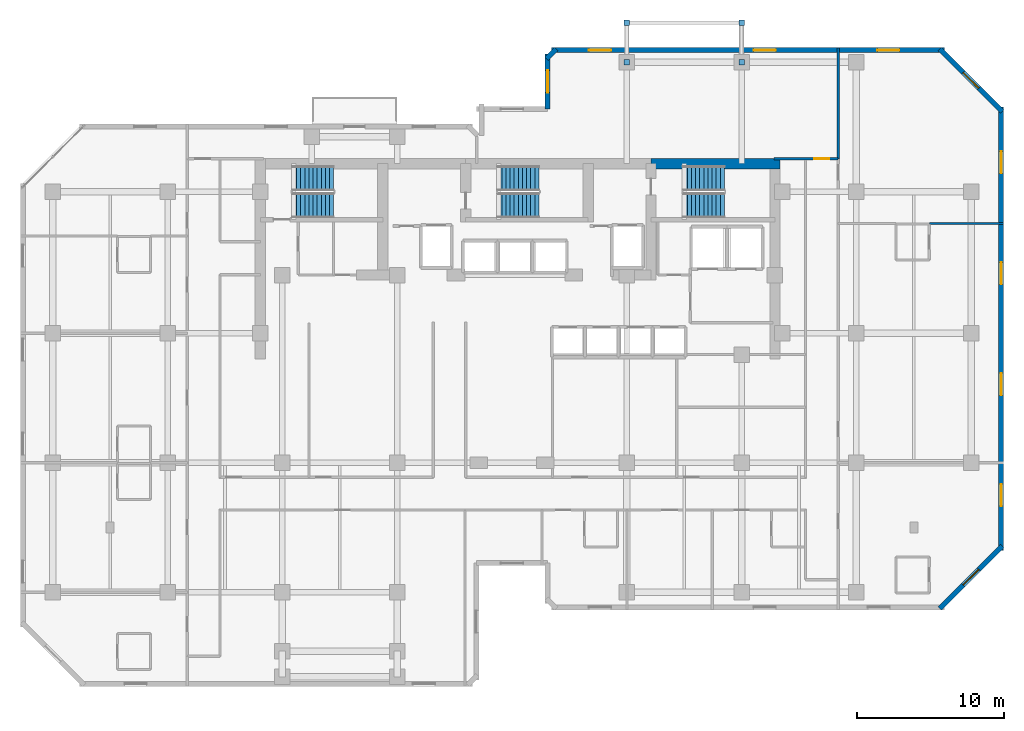
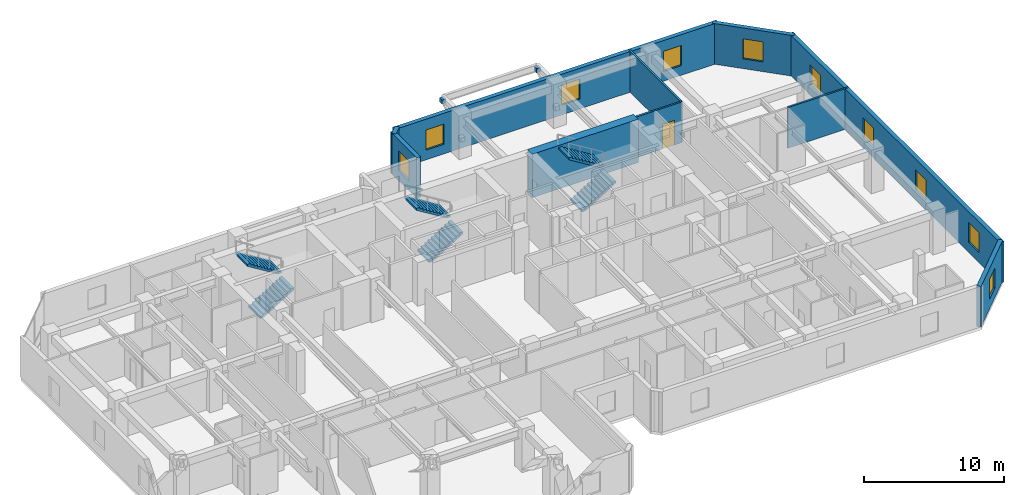
# One storey, part 8 of 9: 10 walls, 10 windows, 6 stair flights, 4 discrete accessories, 1 door, 11 openings, 3 elements without a shape of their own.
"""IFC4 building model written with IfcOpenShell, lengths in metres."""

from ifc_helpers import new_model, si_unit, direction, frame, frame_2d, origin, origin_2d, place, context, subcontext, project, spatial, polyline, rectangle, outline, extrude, material, layer, layer_set, type_object, element, fill, aggregate, save


model = new_model("IFC4")

# Units and contexts
model_context = context("Model", 3, precision=1e-05, world=origin(), true_north=direction((0.0, 1.0)))
body_context = subcontext(model_context, "Body", "Model", "MODEL_VIEW")
ifc_project = project(units=[si_unit("LENGTHUNIT", "METRE"), si_unit("AREAUNIT", "SQUARE_METRE"), si_unit("VOLUMEUNIT", "CUBIC_METRE"), si_unit("PLANEANGLEUNIT", "RADIAN"), si_unit("MASSUNIT", "GRAM", prefix="KILO")], contexts=[model_context])

# Site, building, storey
site_placement = place(None, origin())
site = spatial("IfcSite", under=ifc_project, at=site_placement, CompositionType="ELEMENT")
building_placement = place(site_placement, origin())
building = spatial("IfcBuilding", under=site, at=building_placement, Name="Kestravale Grand Hotel", CompositionType="ELEMENT")
storey_placement = place(building_placement, frame((0.0, 0.0, 146.0)))
storey = spatial("IfcBuildingStorey", under=building, at=storey_placement, Name="L36", CompositionType="ELEMENT", Elevation=146.0)

# Wall
ifc_material_1 = material(Name="Concrete f'c 60 MPa", Category="concrete")
ifc_layer_1 = layer(ifc_material_1, 0.699951171875)
ifc_layer_set_1 = layer_set([ifc_layer_1], Name="EW-CORE-700")
wall_type_1 = type_object("IfcWallType", Name="EW-CORE-700", PredefinedType="SHEAR", material=ifc_layer_set_1)
wall_1_placement = place(storey_placement, frame((48.449951171875, 40.320068359375, 0.0), z_axis=(0.0, 0.0, 1.0), x_axis=(1.0, 0.0, 0.0)))
element("IfcWall", 1, at=wall_1_placement, inside=storey, type_object=wall_type_1, Name="L36 core shear wall N3", PredefinedType="SHEAR", context=body_context, shape_type="SweptSolid", body=[
    extrude(rectangle(XDim=8.77001953125, YDim=0.699951171875, at=frame_2d((4.385009765625, 0.0))), origin(), (0.0, 0.0, 1.0), 3.800048828125),
])

# Wall, opening, window
ifc_material_2 = material(Name="Precast concrete f'c 45 MPa", Category="concrete")
ifc_layer_2 = layer(ifc_material_2, 0.340087890625)
ifc_layer_set_2 = layer_set([ifc_layer_2], Name="EW-PREC-340")
wall_type_2 = type_object("IfcWallType", Name="EW-PREC-340", PredefinedType="SOLIDWALL", material=ifc_layer_set_2)
wall_2_placement = place(storey_placement, frame((68.051513671875, 10.091796875, 0.0), z_axis=(0.0, 0.0, 1.0), x_axis=(0.707106781187, 0.707106781187, 0.0)))
wall_2 = element("IfcWall", 2, at=wall_2_placement, inside=storey, type_object=wall_type_2, Name="L36 fluted precast facade wall 8", PredefinedType="SOLIDWALL", context=body_context, shape_type="SweptSolid", body=[
    extrude(rectangle(XDim=6.019775390625, YDim=0.340087890625, at=frame_2d((3.009765625, 0.0))), origin(), (0.0, 0.0, 1.0), 3.550048828125),
])
opening_1_placement = place(wall_2_placement, frame((2.260009765625, 0.0, 0.85009765625)))
opening_1 = element("IfcOpeningElement", 3, at=opening_1_placement, cuts=wall_2, Name="Opening W-GUEST-1500", PredefinedType="OPENING", context=body_context, shape_type="SweptSolid", body=[
    extrude(rectangle(XDim=1.5, YDim=1.75, at=frame_2d((0.75, 0.875))), frame((0.0, 0.179931640625, 0.0), z_axis=(0.0, -1.0, 0.0), x_axis=(1.0, 0.0, 0.0)), (0.0, 0.0, 1.0), 0.360107421875),
])
ifc_material_3 = material(Name="Insulated low-E double glazing in aluminium frame", Category="aluminium")
window_type = type_object("IfcWindowType", Name="W-GUEST-1500", PartitioningType="SINGLE_PANEL", PredefinedType="WINDOW", material=ifc_material_3)
window_1_placement = place(opening_1_placement, origin())
window_1 = element("IfcWindow", 4, at=window_1_placement, inside=storey, type_object=window_type, Name="L36 exterior window 8.1", OverallHeight=1.75, OverallWidth=1.5, PartitioningType="SINGLE_PANEL", PredefinedType="WINDOW", context=body_context, shape_type="SweptSolid", body=[
    extrude(rectangle(XDim=1.5, YDim=1.75, at=frame_2d((0.75, 0.875))), frame((0.0, 0.030029296875, 0.0), z_axis=(0.0, -1.0, 0.0), x_axis=(1.0, 0.0, 0.0)), (0.0, 0.0, 1.0), 0.06005859375),
])
fill(opening_1, window_1)

# Wall, openings, windows
wall_3_placement = place(storey_placement, frame((72.22998046875, 14.030029296875, 0.0), z_axis=(0.0, 0.0, 1.0), x_axis=(0.0, 1.0, 0.0)))
wall_3 = element("IfcWall", 5, at=wall_3_placement, inside=storey, type_object=wall_type_2, Name="L36 fluted precast facade wall 9", PredefinedType="SOLIDWALL", context=body_context, shape_type="SweptSolid", body=[
    extrude(rectangle(XDim=30.139892578125, YDim=0.340087890625, at=frame_2d((15.06982421875, 0.0))), origin(), (0.0, 0.0, 1.0), 3.550048828125),
])
opening_2_placement = place(wall_3_placement, frame((3.017578125, 0.0, 0.85009765625)))
opening_2 = element("IfcOpeningElement", 6, at=opening_2_placement, cuts=wall_3, Name="Opening W-GUEST-1500", PredefinedType="OPENING", context=body_context, shape_type="SweptSolid", body=[
    extrude(rectangle(XDim=1.5, YDim=1.75, at=frame_2d((0.75, 0.875))), frame((0.0, 0.179931640625, 0.0), z_axis=(0.0, -1.0, 0.0), x_axis=(1.0, 0.0, 0.0)), (0.0, 0.0, 1.0), 0.360107421875),
])
opening_3_placement = place(wall_3_placement, frame((10.552490234375, 0.0, 0.85009765625)))
opening_3 = element("IfcOpeningElement", 7, at=opening_3_placement, cuts=wall_3, Name="Opening W-GUEST-1500", PredefinedType="OPENING", context=body_context, shape_type="SweptSolid", body=[
    extrude(rectangle(XDim=1.5, YDim=1.75, at=frame_2d((0.75, 0.875))), frame((0.0, 0.179931640625, 0.0), z_axis=(0.0, -1.0, 0.0), x_axis=(1.0, 0.0, 0.0)), (0.0, 0.0, 1.0), 0.360107421875),
])
opening_4_placement = place(wall_3_placement, frame((18.08740234375, 0.0, 0.85009765625)))
opening_4 = element("IfcOpeningElement", 8, at=opening_4_placement, cuts=wall_3, Name="Opening W-GUEST-1500", PredefinedType="OPENING", context=body_context, shape_type="SweptSolid", body=[
    extrude(rectangle(XDim=1.5, YDim=1.75, at=frame_2d((0.75, 0.875))), frame((0.0, 0.179931640625, 0.0), z_axis=(0.0, -1.0, 0.0), x_axis=(1.0, 0.0, 0.0)), (0.0, 0.0, 1.0), 0.360107421875),
])
opening_5_placement = place(wall_3_placement, frame((25.62255859375, 0.0, 0.85009765625)))
opening_5 = element("IfcOpeningElement", 9, at=opening_5_placement, cuts=wall_3, Name="Opening W-GUEST-1500", PredefinedType="OPENING", context=body_context, shape_type="SweptSolid", body=[
    extrude(rectangle(XDim=1.5, YDim=1.75, at=frame_2d((0.75, 0.875))), frame((0.0, 0.179931640625, 0.0), z_axis=(0.0, -1.0, 0.0), x_axis=(1.0, 0.0, 0.0)), (0.0, 0.0, 1.0), 0.360107421875),
])
window_2_placement = place(opening_2_placement, origin())
window_2 = element("IfcWindow", 10, at=window_2_placement, inside=storey, type_object=window_type, Name="L36 exterior window 9.1", OverallHeight=1.75, OverallWidth=1.5, PartitioningType="SINGLE_PANEL", PredefinedType="WINDOW", context=body_context, shape_type="SweptSolid", body=[
    extrude(rectangle(XDim=1.5, YDim=1.75, at=frame_2d((0.75, 0.875))), frame((0.0, 0.030029296875, 0.0), z_axis=(0.0, -1.0, 0.0), x_axis=(1.0, 0.0, 0.0)), (0.0, 0.0, 1.0), 0.06005859375),
])
fill(opening_2, window_2)
window_3_placement = place(opening_3_placement, origin())
window_3 = element("IfcWindow", 11, at=window_3_placement, inside=storey, type_object=window_type, Name="L36 exterior window 9.2", OverallHeight=1.75, OverallWidth=1.5, PartitioningType="SINGLE_PANEL", PredefinedType="WINDOW", context=body_context, shape_type="SweptSolid", body=[
    extrude(rectangle(XDim=1.5, YDim=1.75, at=frame_2d((0.75, 0.875))), frame((0.0, 0.030029296875, 0.0), z_axis=(0.0, -1.0, 0.0), x_axis=(1.0, 0.0, 0.0)), (0.0, 0.0, 1.0), 0.06005859375),
])
fill(opening_3, window_3)
window_4_placement = place(opening_4_placement, origin())
window_4 = element("IfcWindow", 12, at=window_4_placement, inside=storey, type_object=window_type, Name="L36 exterior window 9.3", OverallHeight=1.75, OverallWidth=1.5, PartitioningType="SINGLE_PANEL", PredefinedType="WINDOW", context=body_context, shape_type="SweptSolid", body=[
    extrude(rectangle(XDim=1.5, YDim=1.75, at=frame_2d((0.75, 0.875))), frame((0.0, 0.030029296875, 0.0), z_axis=(0.0, -1.0, 0.0), x_axis=(1.0, 0.0, 0.0)), (0.0, 0.0, 1.0), 0.06005859375),
])
fill(opening_4, window_4)
window_5_placement = place(opening_5_placement, origin())
window_5 = element("IfcWindow", 13, at=window_5_placement, inside=storey, type_object=window_type, Name="L36 exterior window 9.4", OverallHeight=1.75, OverallWidth=1.5, PartitioningType="SINGLE_PANEL", PredefinedType="WINDOW", context=body_context, shape_type="SweptSolid", body=[
    extrude(rectangle(XDim=1.5, YDim=1.75, at=frame_2d((0.75, 0.875))), frame((0.0, 0.030029296875, 0.0), z_axis=(0.0, -1.0, 0.0), x_axis=(1.0, 0.0, 0.0)), (0.0, 0.0, 1.0), 0.06005859375),
])
fill(opening_5, window_5)

# Wall, opening, window
wall_4_placement = place(storey_placement, frame((72.30810546875, 43.8515625, 0.0), z_axis=(0.0, 0.0, 1.0), x_axis=(-0.707106781187, 0.707106781187, 0.0)))
wall_4 = element("IfcWall", 14, at=wall_4_placement, inside=storey, type_object=wall_type_2, Name="L36 fluted precast facade wall 10", PredefinedType="SOLIDWALL", context=body_context, shape_type="SweptSolid", body=[
    extrude(rectangle(XDim=6.019775390625, YDim=0.340087890625, at=frame_2d((3.009765625, 0.0))), origin(), (0.0, 0.0, 1.0), 3.550048828125),
])
opening_6_placement = place(wall_4_placement, frame((2.260009765625, 0.0, 0.85009765625)))
opening_6 = element("IfcOpeningElement", 15, at=opening_6_placement, cuts=wall_4, Name="Opening W-GUEST-1500", PredefinedType="OPENING", context=body_context, shape_type="SweptSolid", body=[
    extrude(rectangle(XDim=1.5, YDim=1.75, at=frame_2d((0.75, 0.875))), frame((0.0, 0.179931640625, 0.0), z_axis=(0.0, -1.0, 0.0), x_axis=(1.0, 0.0, 0.0)), (0.0, 0.0, 1.0), 0.360107421875),
])
window_6_placement = place(opening_6_placement, origin())
window_6 = element("IfcWindow", 16, at=window_6_placement, inside=storey, type_object=window_type, Name="L36 exterior window 10.1", OverallHeight=1.75, OverallWidth=1.5, PartitioningType="SINGLE_PANEL", PredefinedType="WINDOW", context=body_context, shape_type="SweptSolid", body=[
    extrude(rectangle(XDim=1.5, YDim=1.75, at=frame_2d((0.75, 0.875))), frame((0.0, 0.030029296875, 0.0), z_axis=(0.0, -1.0, 0.0), x_axis=(1.0, 0.0, 0.0)), (0.0, 0.0, 1.0), 0.06005859375),
])
fill(opening_6, window_6)

# Wall, openings, windows
wall_5_placement = place(storey_placement, frame((68.3701171875, 48.030029296875, 0.0), z_axis=(0.0, 0.0, 1.0), x_axis=(-1.0, 0.0, 0.0)))
wall_5 = element("IfcWall", 17, at=wall_5_placement, inside=storey, type_object=wall_type_2, Name="L36 fluted precast facade wall 11", PredefinedType="SOLIDWALL", context=body_context, shape_type="SweptSolid", body=[
    extrude(rectangle(XDim=26.690185546875, YDim=0.340087890625, at=frame_2d((13.34521484375, 0.0))), origin(), (0.0, 0.0, 1.0), 3.550048828125),
])
opening_7_placement = place(wall_5_placement, frame((3.04833984375, 0.0, 0.85009765625)))
opening_7 = element("IfcOpeningElement", 18, at=opening_7_placement, cuts=wall_5, Name="Opening W-GUEST-1500", PredefinedType="OPENING", context=body_context, shape_type="SweptSolid", body=[
    extrude(rectangle(XDim=1.5, YDim=1.75, at=frame_2d((0.75, 0.875))), frame((0.0, 0.179931640625, 0.0), z_axis=(0.0, -1.0, 0.0), x_axis=(1.0, 0.0, 0.0)), (0.0, 0.0, 1.0), 0.360107421875),
])
opening_8_placement = place(wall_5_placement, frame((11.445068359375, 0.0, 0.85009765625)))
opening_8 = element("IfcOpeningElement", 19, at=opening_8_placement, cuts=wall_5, Name="Opening W-GUEST-1500", PredefinedType="OPENING", context=body_context, shape_type="SweptSolid", body=[
    extrude(rectangle(XDim=1.5, YDim=1.75, at=frame_2d((0.75, 0.875))), frame((0.0, 0.179931640625, 0.0), z_axis=(0.0, -1.0, 0.0), x_axis=(1.0, 0.0, 0.0)), (0.0, 0.0, 1.0), 0.360107421875),
])
opening_9_placement = place(wall_5_placement, frame((22.6416015625, 0.0, 0.85009765625)))
opening_9 = element("IfcOpeningElement", 20, at=opening_9_placement, cuts=wall_5, Name="Opening W-GUEST-1500", PredefinedType="OPENING", context=body_context, shape_type="SweptSolid", body=[
    extrude(rectangle(XDim=1.5, YDim=1.75, at=frame_2d((0.75, 0.875))), frame((0.0, 0.179931640625, 0.0), z_axis=(0.0, -1.0, 0.0), x_axis=(1.0, 0.0, 0.0)), (0.0, 0.0, 1.0), 0.360107421875),
])
window_7_placement = place(opening_7_placement, origin())
window_7 = element("IfcWindow", 21, at=window_7_placement, inside=storey, type_object=window_type, Name="L36 exterior window 11.1", OverallHeight=1.75, OverallWidth=1.5, PartitioningType="SINGLE_PANEL", PredefinedType="WINDOW", context=body_context, shape_type="SweptSolid", body=[
    extrude(rectangle(XDim=1.5, YDim=1.75, at=frame_2d((0.75, 0.875))), frame((0.0, 0.030029296875, 0.0), z_axis=(0.0, -1.0, 0.0), x_axis=(1.0, 0.0, 0.0)), (0.0, 0.0, 1.0), 0.06005859375),
])
fill(opening_7, window_7)
window_8_placement = place(opening_8_placement, origin())
window_8 = element("IfcWindow", 22, at=window_8_placement, inside=storey, type_object=window_type, Name="L36 exterior window 11.2", OverallHeight=1.75, OverallWidth=1.5, PartitioningType="SINGLE_PANEL", PredefinedType="WINDOW", context=body_context, shape_type="SweptSolid", body=[
    extrude(rectangle(XDim=1.5, YDim=1.75, at=frame_2d((0.75, 0.875))), frame((0.0, 0.030029296875, 0.0), z_axis=(0.0, -1.0, 0.0), x_axis=(1.0, 0.0, 0.0)), (0.0, 0.0, 1.0), 0.06005859375),
])
fill(opening_8, window_8)
window_9_placement = place(opening_9_placement, origin())
window_9 = element("IfcWindow", 23, at=window_9_placement, inside=storey, type_object=window_type, Name="L36 exterior window 11.3", OverallHeight=1.75, OverallWidth=1.5, PartitioningType="SINGLE_PANEL", PredefinedType="WINDOW", context=body_context, shape_type="SweptSolid", body=[
    extrude(rectangle(XDim=1.5, YDim=1.75, at=frame_2d((0.75, 0.875))), frame((0.0, 0.030029296875, 0.0), z_axis=(0.0, -1.0, 0.0), x_axis=(1.0, 0.0, 0.0)), (0.0, 0.0, 1.0), 0.06005859375),
])
fill(opening_9, window_9)

# Wall
wall_6_placement = place(storey_placement, frame((41.99853515625, 48.108154296875, 0.0), z_axis=(0.0, 0.0, 1.0), x_axis=(-0.707106781187, -0.707106781187, 0.0)))
element("IfcWall", 24, at=wall_6_placement, inside=storey, type_object=wall_type_2, Name="L36 fluted precast facade wall 12", PredefinedType="SOLIDWALL", context=body_context, shape_type="SweptSolid", body=[
    extrude(rectangle(XDim=0.9287109375, YDim=0.340087890625, at=frame_2d((0.46435546875, 0.0))), origin(), (0.0, 0.0, 1.0), 3.550048828125),
])

# Wall, opening, window
wall_7_placement = place(storey_placement, frame((41.419921875, 47.77001953125, 0.0), z_axis=(0.0, 0.0, 1.0), x_axis=(0.0, -1.0, 0.0)))
wall_7 = element("IfcWall", 25, at=wall_7_placement, inside=storey, type_object=wall_type_2, Name="L36 fluted precast facade wall 13", PredefinedType="SOLIDWALL", context=body_context, shape_type="SweptSolid", body=[
    extrude(rectangle(XDim=3.739990234375, YDim=0.340087890625, at=frame_2d((1.8701171875, 0.0))), origin(), (0.0, 0.0, 1.0), 3.550048828125),
])
opening_10_placement = place(wall_7_placement, frame((1.1201171875, 0.0, 0.85009765625)))
opening_10 = element("IfcOpeningElement", 26, at=opening_10_placement, cuts=wall_7, Name="Opening W-GUEST-1500", PredefinedType="OPENING", context=body_context, shape_type="SweptSolid", body=[
    extrude(rectangle(XDim=1.5, YDim=1.75, at=frame_2d((0.75, 0.875))), frame((0.0, 0.179931640625, 0.0), z_axis=(0.0, -1.0, 0.0), x_axis=(1.0, 0.0, 0.0)), (0.0, 0.0, 1.0), 0.360107421875),
])
window_10_placement = place(opening_10_placement, origin())
window_10 = element("IfcWindow", 27, at=window_10_placement, inside=storey, type_object=window_type, Name="L36 exterior window 13.1", OverallHeight=1.75, OverallWidth=1.5, PartitioningType="SINGLE_PANEL", PredefinedType="WINDOW", context=body_context, shape_type="SweptSolid", body=[
    extrude(rectangle(XDim=1.5, YDim=1.75, at=frame_2d((0.75, 0.875))), frame((0.0, 0.030029296875, 0.0), z_axis=(0.0, -1.0, 0.0), x_axis=(1.0, 0.0, 0.0)), (0.0, 0.0, 1.0), 0.06005859375),
])
fill(opening_10, window_10)

# Wall, opening, door
ifc_material_4 = material(Name="Double-stud STC 52 acoustic demising partition", Category="other")
ifc_layer_3 = layer(ifc_material_4, 0.14990234375)
ifc_layer_set_3 = layer_set([ifc_layer_3], Name="IW-UNIT-150")
wall_type_3 = type_object("IfcWallType", Name="IW-UNIT-150", PredefinedType="PARTITIONING", material=ifc_layer_set_3)
wall_8_placement = place(storey_placement, frame((56.800048828125, 40.64990234375, 0.0), z_axis=(0.0, 0.0, 1.0), x_axis=(1.0, 0.0, 0.0)))
wall_8 = element("IfcWall", 28, at=wall_8_placement, inside=storey, type_object=wall_type_3, Name="W-L36-SE-N", PredefinedType="PARTITIONING", context=body_context, shape_type="SweptSolid", body=[
    extrude(rectangle(XDim=4.35986328125, YDim=0.14990234375, at=frame_2d((2.179931640625, 0.0))), origin(), (0.0, 0.0, 1.0), 3.550048828125),
])
opening_11_placement = place(wall_8_placement, frame((2.75, 0.0, 0.0)))
opening_11 = element("IfcOpeningElement", 29, at=opening_11_placement, cuts=wall_8, Name="Opening D-GUEST-1000", PredefinedType="OPENING", context=body_context, shape_type="SweptSolid", body=[
    extrude(rectangle(XDim=1.0, YDim=2.14990234375, at=frame_2d((0.5, 1.074951171875))), frame((0.0, 0.0849609375, 0.0), z_axis=(0.0, -1.0, 0.0), x_axis=(1.0, 0.0, 0.0)), (0.0, 0.0, 1.0), 0.169921875),
])
ifc_material_5 = material(Name="Accessible walnut veneer hotel entrance fire door", Category="wood")
door_type = type_object("IfcDoorType", Name="D-GUEST-1000", OperationType="NOTDEFINED", PredefinedType="DOOR", material=ifc_material_5)
door_placement = place(opening_11_placement, origin())
door = element("IfcDoor", 30, at=door_placement, inside=storey, type_object=door_type, Name="L36 NE Gallery Door", OperationType="SINGLE_SWING_LEFT", OverallHeight=2.14990234375, OverallWidth=1.0, PredefinedType="DOOR", context=body_context, shape_type="SweptSolid", body=[
    extrude(rectangle(XDim=1.0, YDim=2.14990234375, at=frame_2d((0.5, 1.074951171875))), frame((0.0, 0.02490234375, 0.0), z_axis=(0.0, -1.0, 0.0), x_axis=(1.0, 0.0, 0.0)), (0.0, 0.0, 1.0), 0.050048828125),
])
fill(opening_11, door)

# Walls
wall_9_placement = place(storey_placement, frame((61.159912109375, 40.64990234375, 0.0), z_axis=(0.0, 0.0, 1.0), x_axis=(0.0, 1.0, 0.0)))
element("IfcWall", 31, at=wall_9_placement, inside=storey, type_object=wall_type_3, Name="W-L36-NGE-E", PredefinedType="PARTITIONING", context=body_context, shape_type="SweptSolid", body=[
    extrude(rectangle(XDim=7.530029296875, YDim=0.14990234375, at=frame_2d((3.76513671875, 0.0))), origin(), (0.0, 0.0, 1.0), 3.550048828125),
])
wall_10_placement = place(storey_placement, frame((67.35009765625, 36.25, 0.0), z_axis=(0.0, 0.0, 1.0), x_axis=(1.0, 0.0, 0.0)))
element("IfcWall", 32, at=wall_10_placement, inside=storey, type_object=wall_type_3, Name="W-L36-EW-2", PredefinedType="PARTITIONING", context=body_context, shape_type="SweptSolid", body=[
    extrude(rectangle(XDim=5.02978515625, YDim=0.14990234375, at=frame_2d((2.514892578125, 0.0))), origin(), (0.0, 0.0, 1.0), 3.550048828125),
])

# Stair, stair flights
ifc_material_6 = material(Name="Concrete f'c 45 MPa", Category="concrete")
stair_type = type_object("IfcStairType", Name="ST-CORE-380", PredefinedType="HALF_TURN_STAIR", material=ifc_material_6)
stair_1_placement = place(storey_placement, origin())
stair_1 = element("IfcStair", 33, at=stair_1_placement, inside=storey, type_object=stair_type, Name="L36 ST-1", PredefinedType="HALF_TURN_STAIR")
ifc_material_7 = material(Name="Concrete f'c 45 MPa", Category="concrete")
stair_flight_type = type_object("IfcStairFlightType", Name="STF-CORE-380", PredefinedType="STRAIGHT", material=ifc_material_7)
stair_flight_1_placement = place(storey_placement, frame((24.080078125, 37.489990234375, 0.0), z_axis=(0.0, 0.0, 1.0), x_axis=(1.0, 0.0, 0.0)))
stair_flight_1 = element("IfcStairFlight", 34, at=stair_flight_1_placement, type_object=stair_flight_type, Name="ST-1 flight 1", NumberOfRisers=11, NumberOfTreads=10, PredefinedType="STRAIGHT", RiserHeight=0.172727273, TreadLength=0.28, context=body_context, shape_type="SweptSolid", body=[
    extrude(outline(polyline([(0.0, 0.0), (0.0, 0.172607421875), (0.280029296875, 0.172607421875), (0.280029296875, 0.345458984375), (0.56005859375, 0.345458984375), (0.56005859375, 0.51806640625), (0.840087890625, 0.51806640625), (0.840087890625, 0.69091796875), (1.1201171875, 0.69091796875), (1.1201171875, 0.863525390625), (1.39990234375, 0.863525390625), (1.39990234375, 1.036376953125), (1.679931640625, 1.036376953125), (1.679931640625, 1.208984375), (1.9599609375, 1.208984375), (1.9599609375, 1.3818359375), (2.239990234375, 1.3818359375), (2.239990234375, 1.554443359375), (2.52001953125, 1.554443359375), (2.52001953125, 1.727294921875), (2.800048828125, 1.727294921875), (2.800048828125, 1.89990234375), (2.800048828125, 1.551025390625), (0.285400390625, 0.0), (0.0, 0.0)])), frame((0.0, 0.83984375, 0.0), z_axis=(0.0, -1.0, 0.0), x_axis=(1.0, 0.0, 0.0)), (0.0, 0.0, 1.0), 1.679931640625),
])
stair_flight_2_placement = place(storey_placement, frame((26.8798828125, 39.320068359375, 1.89990234375), z_axis=(0.0, 0.0, 1.0), x_axis=(-1.0, 0.0, 0.0)))
stair_flight_2 = element("IfcStairFlight", 35, at=stair_flight_2_placement, type_object=stair_flight_type, Name="ST-1 flight 2", NumberOfRisers=11, NumberOfTreads=10, PredefinedType="STRAIGHT", RiserHeight=0.172727273, TreadLength=0.28, context=body_context, shape_type="SweptSolid", body=[
    extrude(outline(polyline([(0.0, 0.0), (0.0, 0.172607421875), (0.280029296875, 0.172607421875), (0.280029296875, 0.345458984375), (0.56005859375, 0.345458984375), (0.56005859375, 0.51806640625), (0.840087890625, 0.51806640625), (0.840087890625, 0.69091796875), (1.1201171875, 0.69091796875), (1.1201171875, 0.863525390625), (1.39990234375, 0.863525390625), (1.39990234375, 1.036376953125), (1.679931640625, 1.036376953125), (1.679931640625, 1.208984375), (1.9599609375, 1.208984375), (1.9599609375, 1.3818359375), (2.239990234375, 1.3818359375), (2.239990234375, 1.554443359375), (2.52001953125, 1.554443359375), (2.52001953125, 1.727294921875), (2.800048828125, 1.727294921875), (2.800048828125, 1.89990234375), (2.800048828125, 1.551025390625), (0.285400390625, 0.0), (0.0, 0.0)])), frame((0.0, 0.83984375, 0.0), z_axis=(0.0, -1.0, 0.0), x_axis=(1.0, 0.0, 0.0)), (0.0, 0.0, 1.0), 1.679931640625),
])
aggregate(stair_1, [stair_flight_1, stair_flight_2])

stair_2_placement = place(storey_placement, origin())
stair_2 = element("IfcStair", 36, at=stair_2_placement, inside=storey, type_object=stair_type, Name="L36 ST-2", PredefinedType="HALF_TURN_STAIR")
stair_flight_3_placement = place(storey_placement, frame((38.030029296875, 37.489990234375, 0.0), z_axis=(0.0, 0.0, 1.0), x_axis=(1.0, 0.0, 0.0)))
stair_flight_3 = element("IfcStairFlight", 37, at=stair_flight_3_placement, type_object=stair_flight_type, Name="ST-2 flight 1", NumberOfRisers=11, NumberOfTreads=10, PredefinedType="STRAIGHT", RiserHeight=0.172727273, TreadLength=0.28, context=body_context, shape_type="SweptSolid", body=[
    extrude(outline(polyline([(0.0, 0.0), (0.0, 0.172607421875), (0.280029296875, 0.172607421875), (0.280029296875, 0.345458984375), (0.56005859375, 0.345458984375), (0.56005859375, 0.51806640625), (0.840087890625, 0.51806640625), (0.840087890625, 0.69091796875), (1.1201171875, 0.69091796875), (1.1201171875, 0.863525390625), (1.39990234375, 0.863525390625), (1.39990234375, 1.036376953125), (1.679931640625, 1.036376953125), (1.679931640625, 1.208984375), (1.9599609375, 1.208984375), (1.9599609375, 1.3818359375), (2.239990234375, 1.3818359375), (2.239990234375, 1.554443359375), (2.52001953125, 1.554443359375), (2.52001953125, 1.727294921875), (2.800048828125, 1.727294921875), (2.800048828125, 1.89990234375), (2.800048828125, 1.551025390625), (0.285400390625, 0.0), (0.0, 0.0)])), frame((0.0, 0.83984375, 0.0), z_axis=(0.0, -1.0, 0.0), x_axis=(1.0, 0.0, 0.0)), (0.0, 0.0, 1.0), 1.679931640625),
])
stair_flight_4_placement = place(storey_placement, frame((40.830078125, 39.320068359375, 1.89990234375), z_axis=(0.0, 0.0, 1.0), x_axis=(-1.0, 0.0, 0.0)))
stair_flight_4 = element("IfcStairFlight", 38, at=stair_flight_4_placement, type_object=stair_flight_type, Name="ST-2 flight 2", NumberOfRisers=11, NumberOfTreads=10, PredefinedType="STRAIGHT", RiserHeight=0.172727273, TreadLength=0.28, context=body_context, shape_type="SweptSolid", body=[
    extrude(outline(polyline([(0.0, 0.0), (0.0, 0.172607421875), (0.280029296875, 0.172607421875), (0.280029296875, 0.345458984375), (0.56005859375, 0.345458984375), (0.56005859375, 0.51806640625), (0.840087890625, 0.51806640625), (0.840087890625, 0.69091796875), (1.1201171875, 0.69091796875), (1.1201171875, 0.863525390625), (1.39990234375, 0.863525390625), (1.39990234375, 1.036376953125), (1.679931640625, 1.036376953125), (1.679931640625, 1.208984375), (1.9599609375, 1.208984375), (1.9599609375, 1.3818359375), (2.239990234375, 1.3818359375), (2.239990234375, 1.554443359375), (2.52001953125, 1.554443359375), (2.52001953125, 1.727294921875), (2.800048828125, 1.727294921875), (2.800048828125, 1.89990234375), (2.800048828125, 1.551025390625), (0.285400390625, 0.0), (0.0, 0.0)])), frame((0.0, 0.83984375, 0.0), z_axis=(0.0, -1.0, 0.0), x_axis=(1.0, 0.0, 0.0)), (0.0, 0.0, 1.0), 1.679931640625),
])
aggregate(stair_2, [stair_flight_3, stair_flight_4])

stair_3_placement = place(storey_placement, origin())
stair_3 = element("IfcStair", 39, at=stair_3_placement, inside=storey, type_object=stair_type, Name="L36 ST-3", PredefinedType="HALF_TURN_STAIR")
stair_flight_5_placement = place(storey_placement, frame((50.6298828125, 37.489990234375, 0.0), z_axis=(0.0, 0.0, 1.0), x_axis=(1.0, 0.0, 0.0)))
stair_flight_5 = element("IfcStairFlight", 40, at=stair_flight_5_placement, type_object=stair_flight_type, Name="ST-3 flight 1", NumberOfRisers=11, NumberOfTreads=10, PredefinedType="STRAIGHT", RiserHeight=0.172727273, TreadLength=0.28, context=body_context, shape_type="SweptSolid", body=[
    extrude(outline(polyline([(0.0, 0.0), (0.0, 0.172607421875), (0.280029296875, 0.172607421875), (0.280029296875, 0.345458984375), (0.56005859375, 0.345458984375), (0.56005859375, 0.51806640625), (0.840087890625, 0.51806640625), (0.840087890625, 0.69091796875), (1.1201171875, 0.69091796875), (1.1201171875, 0.863525390625), (1.39990234375, 0.863525390625), (1.39990234375, 1.036376953125), (1.679931640625, 1.036376953125), (1.679931640625, 1.208984375), (1.9599609375, 1.208984375), (1.9599609375, 1.3818359375), (2.239990234375, 1.3818359375), (2.239990234375, 1.554443359375), (2.52001953125, 1.554443359375), (2.52001953125, 1.727294921875), (2.800048828125, 1.727294921875), (2.800048828125, 1.89990234375), (2.800048828125, 1.551025390625), (0.285400390625, 0.0), (0.0, 0.0)])), frame((0.0, 0.83984375, 0.0), z_axis=(0.0, -1.0, 0.0), x_axis=(1.0, 0.0, 0.0)), (0.0, 0.0, 1.0), 1.679931640625),
])
stair_flight_6_placement = place(storey_placement, frame((53.429931640625, 39.320068359375, 1.89990234375), z_axis=(0.0, 0.0, 1.0), x_axis=(-1.0, 0.0, 0.0)))
stair_flight_6 = element("IfcStairFlight", 41, at=stair_flight_6_placement, type_object=stair_flight_type, Name="ST-3 flight 2", NumberOfRisers=11, NumberOfTreads=10, PredefinedType="STRAIGHT", RiserHeight=0.172727273, TreadLength=0.28, context=body_context, shape_type="SweptSolid", body=[
    extrude(outline(polyline([(0.0, 0.0), (0.0, 0.172607421875), (0.280029296875, 0.172607421875), (0.280029296875, 0.345458984375), (0.56005859375, 0.345458984375), (0.56005859375, 0.51806640625), (0.840087890625, 0.51806640625), (0.840087890625, 0.69091796875), (1.1201171875, 0.69091796875), (1.1201171875, 0.863525390625), (1.39990234375, 0.863525390625), (1.39990234375, 1.036376953125), (1.679931640625, 1.036376953125), (1.679931640625, 1.208984375), (1.9599609375, 1.208984375), (1.9599609375, 1.3818359375), (2.239990234375, 1.3818359375), (2.239990234375, 1.554443359375), (2.52001953125, 1.554443359375), (2.52001953125, 1.727294921875), (2.800048828125, 1.727294921875), (2.800048828125, 1.89990234375), (2.800048828125, 1.551025390625), (0.285400390625, 0.0), (0.0, 0.0)])), frame((0.0, 0.83984375, 0.0), z_axis=(0.0, -1.0, 0.0), x_axis=(1.0, 0.0, 0.0)), (0.0, 0.0, 1.0), 1.679931640625),
])
aggregate(stair_3, [stair_flight_5, stair_flight_6])

# Discrete accessories
ifc_material_8 = material(Name="Steel ASTM A572 Grade 50 hot-dip galvanised bracket", Category="steel")
discrete_accessory_type = type_object("IfcDiscreteAccessoryType", Name="ACC-BRK-STL", PredefinedType="BRACKET", material=ifc_material_8)
for number, where, z_axis, x_axis, name in (
    (42, (46.800048828125, 47.199951171875, 1.19384765625), (0.0, 0.0, 1.0), (1.0, 0.0, 0.0), "L37 terrace strut column bracket 1"),
    (43, (46.800048828125, 49.89990234375, 2.89404296875), (0.0, 0.0, 1.0), (1.0, 0.0, 0.0), "L37 terrace strut beam bracket 1"),
    (44, (54.60009765625, 47.199951171875, 1.19384765625), (0.0, 0.0, 1.0), (1.0, 0.0, 0.0), "L37 terrace strut column bracket 2"),
    (45, (54.60009765625, 49.89990234375, 2.89404296875), (0.0, 0.0, 1.0), (1.0, 0.0, 0.0), "L37 terrace strut beam bracket 2"),
):
    element("IfcDiscreteAccessory", number, at=place(storey_placement, frame(where, z_axis=z_axis, x_axis=x_axis)), inside=storey, type_object=discrete_accessory_type, Name=name, PredefinedType="BRACKET", context=body_context, shape_type="SweptSolid", body=[
        extrude(rectangle(XDim=0.360107421875, YDim=0.360107421875, at=origin_2d()), origin(), (0.0, 0.0, 1.0), 0.360107421875),
    ])

save(model, "model.ifc")
